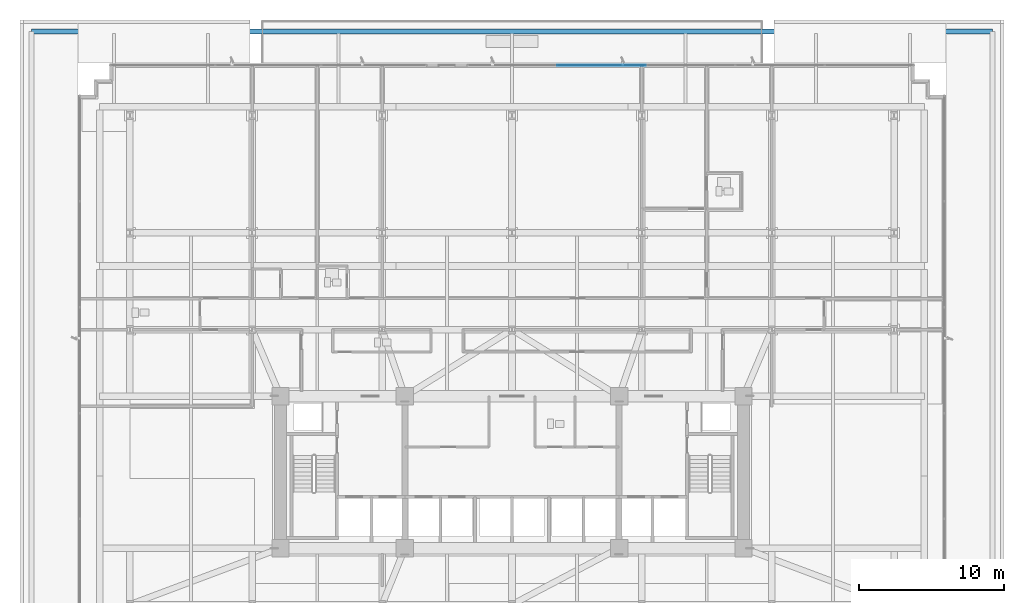
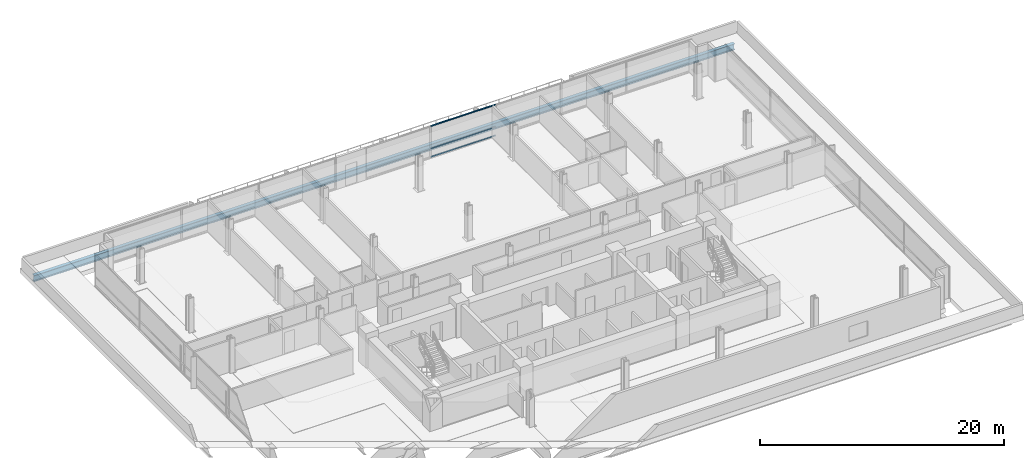
# One storey, part 14 of 25: 3 members, 1 beam, 1 element without a shape of its own.
"""IFC4 building model written with IfcOpenShell, lengths in metres."""

from ifc_helpers import new_model, si_unit, direction, frame, origin, origin_2d, place, context, subcontext, project, spatial, rectangle, i_section, extrude, material, material_profile, profile_set, type_object, element, aggregate, save


model = new_model("IFC4")

# Units and contexts
model_context = context("Model", 3, precision=1e-05, world=origin(), true_north=direction((0.0, 1.0)))
body_context = subcontext(model_context, "Body", "Model", "MODEL_VIEW")
ifc_project = project(units=[si_unit("LENGTHUNIT", "METRE"), si_unit("AREAUNIT", "SQUARE_METRE"), si_unit("VOLUMEUNIT", "CUBIC_METRE"), si_unit("PLANEANGLEUNIT", "RADIAN"), si_unit("MASSUNIT", "GRAM", prefix="KILO")], contexts=[model_context])

# Site, building, storey
site_placement = place(None, origin())
site = spatial("IfcSite", under=ifc_project, at=site_placement, CompositionType="ELEMENT")
building_placement = place(site_placement, origin())
building = spatial("IfcBuilding", under=site, at=building_placement, Name="Solmavex Isthmus Hotel", CompositionType="ELEMENT")
storey_placement = place(building_placement, frame((0.0, 0.0, 26.39990234375)))
storey = spatial("IfcBuildingStorey", under=building, at=storey_placement, Name="L06", CompositionType="ELEMENT", Elevation=26.39990234375)

# Beam
ifc_material_1 = material(Name="Steel ASTM A992 Grade 50", Category="steel")
ifc_material_profile_1 = material_profile(ifc_material_1, i_section(OverallWidth=0.326416015625, OverallDepth=0.621826171875, WebThickness=0.015380859375, FlangeThickness=0.0244140625, FilletRadius=0.01513671875, at=origin_2d()), Name="W24X131")
ifc_profile_set_1 = profile_set([ifc_material_profile_1], Name="Steel ASTM A992 Grade 50")
beam_type = type_object("IfcBeamType", Name="BM-SP-W24X131", PredefinedType="SPANDREL", material=ifc_profile_set_1)
beam_placement = place(storey_placement, frame((33.199951171875, 22.699951171875, -0.7607421875), z_axis=(-1.0, 0.0, 0.0), x_axis=(0.0, -1.0, 0.0)))
element("IfcBeam", 1, at=beam_placement, inside=storey, type_object=beam_type, Name="Podium Roof Edge Girder PR-3", PredefinedType="SPANDREL", context=body_context, shape_type="SweptSolid", body=[
    extrude(i_section(OverallWidth=0.326416015625, OverallDepth=0.621826171875, WebThickness=0.015380859375, FlangeThickness=0.0244140625, FilletRadius=0.01513671875, at=origin_2d()), origin(), (0.0, 0.0, 1.0), 66.39990234375),
])

# Curtain wall, members
ifc_material_2 = material(Name="Aluminium alloy 6063-T6", Category="aluminium")
curtain_wall_type = type_object("IfcCurtainWallType", Name="CW-SYS-06", PredefinedType="NOTDEFINED", material=ifc_material_2)
curtain_wall_placement = place(storey_placement, origin())
curtain_wall = element("IfcCurtainWall", 2, at=curtain_wall_placement, inside=storey, type_object=curtain_wall_type, Name="Stick Curtain Wall CWL-L06-N2", PredefinedType="NOTDEFINED")
ifc_material_profile_2 = material_profile(ifc_material_2, rectangle(XDim=0.06005859375, YDim=0.114990234375, at=origin_2d()), Name="CWT-60X115")
ifc_profile_set_2 = profile_set([ifc_material_profile_2], Name="Aluminium alloy 6063-T6")
member_type = type_object("IfcMemberType", Name="CW-SYS-06-TRN", PredefinedType="USERDEFINED", material=ifc_profile_set_2)
member_1_placement = place(storey_placement, frame((3.110107421875, 20.3798828125, 0.0576171875), z_axis=(1.0, 0.0, 0.0), x_axis=(0.0, 1.0, 0.0)))
member_1 = element("IfcMember", 3, at=member_1_placement, type_object=member_type, Name="CW-06 transom 2.1", ObjectType="TRANSOM", PredefinedType="USERDEFINED", context=body_context, shape_type="SweptSolid", body=[
    extrude(rectangle(XDim=0.06005859375, YDim=0.114990234375, at=origin_2d()), origin(), (0.0, 0.0, 1.0), 6.119873046875),
])
member_2_placement = place(storey_placement, frame((3.110107421875, 20.3798828125, 0.900146484375), z_axis=(1.0, 0.0, 0.0), x_axis=(0.0, 1.0, 0.0)))
member_2 = element("IfcMember", 4, at=member_2_placement, type_object=member_type, Name="CW-06 transom 2.2", ObjectType="TRANSOM", PredefinedType="USERDEFINED", context=body_context, shape_type="SweptSolid", body=[
    extrude(rectangle(XDim=0.06005859375, YDim=0.114990234375, at=origin_2d()), origin(), (0.0, 0.0, 1.0), 6.119873046875),
])
member_3_placement = place(storey_placement, frame((3.110107421875, 20.3798828125, 3.132568359375), z_axis=(1.0, 0.0, 0.0), x_axis=(0.0, 1.0, 0.0)))
member_3 = element("IfcMember", 5, at=member_3_placement, type_object=member_type, Name="CW-06 transom 2.3", ObjectType="TRANSOM", PredefinedType="USERDEFINED", context=body_context, shape_type="SweptSolid", body=[
    extrude(rectangle(XDim=0.06005859375, YDim=0.114990234375, at=origin_2d()), origin(), (0.0, 0.0, 1.0), 6.119873046875),
])
aggregate(curtain_wall, [member_1, member_2, member_3])

save(model, "model.ifc")
